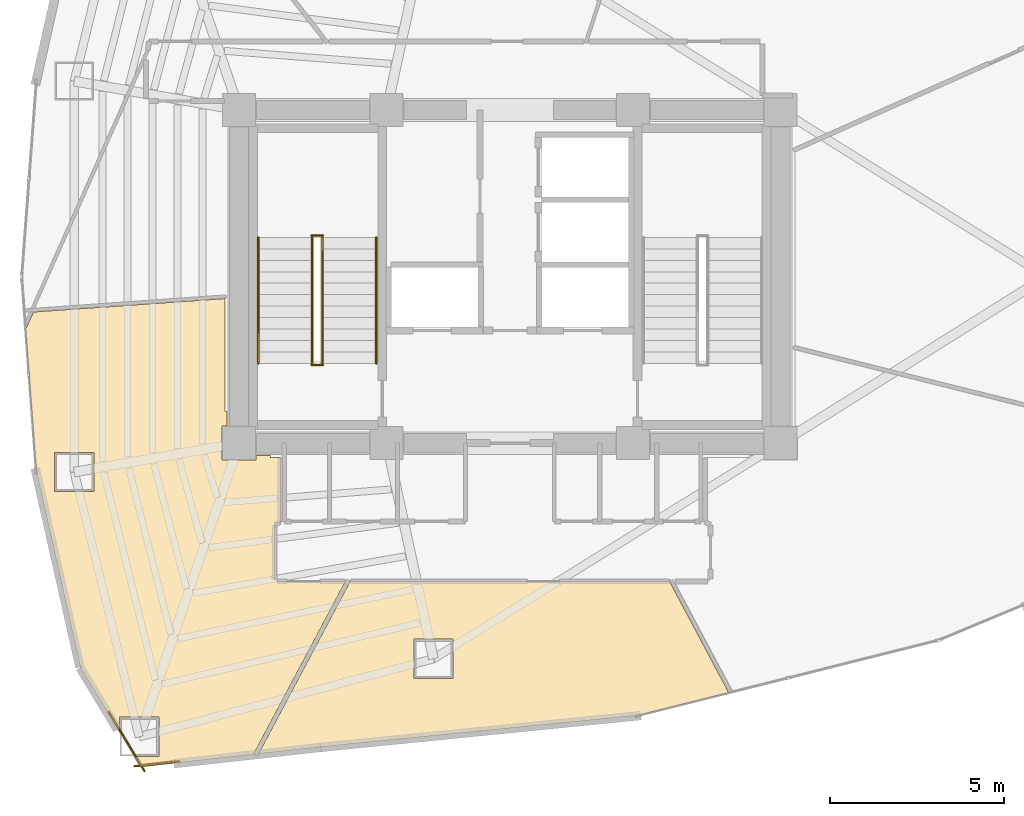
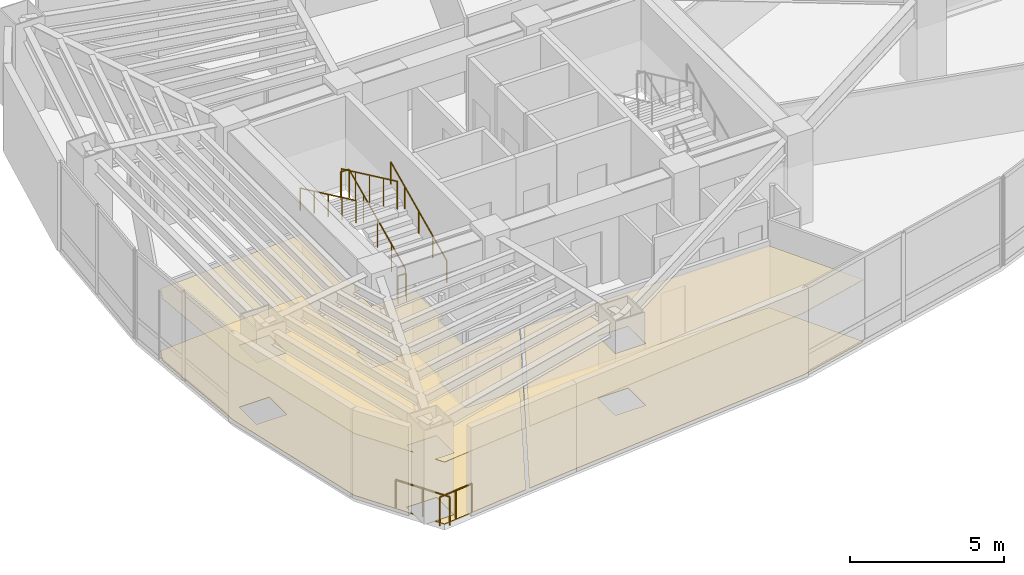
# One storey, part 16 of 18: 8 railings, 4 coverings.
"""IFC4 building model written with IfcOpenShell, lengths in metres."""

from ifc_helpers import new_model, si_unit, direction, frame, origin, origin_2d, place, context, subcontext, project, spatial, polyline, circle, outline, extrude, material, layer, layer_set, type_object, element, save


model = new_model("IFC4")

# Units and contexts
model_context = context("Model", 3, precision=1e-05, world=origin(), true_north=direction((0.0, 1.0)))
body_context = subcontext(model_context, "Body", "Model", "MODEL_VIEW")
ifc_project = project(units=[si_unit("LENGTHUNIT", "METRE"), si_unit("AREAUNIT", "SQUARE_METRE"), si_unit("VOLUMEUNIT", "CUBIC_METRE"), si_unit("PLANEANGLEUNIT", "RADIAN"), si_unit("MASSUNIT", "GRAM", prefix="KILO")], contexts=[model_context])

# Site, building, storey
site_placement = place(None, origin())
site = spatial("IfcSite", under=ifc_project, at=site_placement, CompositionType="ELEMENT")
building_placement = place(site_placement, origin())
building = spatial("IfcBuilding", under=site, at=building_placement, Name="Menara Vayukalpa", CompositionType="ELEMENT")
storey_placement = place(building_placement, frame((0.0, 0.0, 161.760009765625)))
storey = spatial("IfcBuildingStorey", under=building, at=storey_placement, Name="L40", CompositionType="ELEMENT", Elevation=161.760009765625)

# Coverings
ifc_material_1 = material(Name="Mineral Fibre Acoustic Ceiling Tile", Category="masonry")
ifc_layer_1 = layer(ifc_material_1, 0.02490234375)
ifc_layer_set_1 = layer_set([ifc_layer_1], Name="Mineral Fibre Acoustic Ceiling Tile")
covering_type_1 = type_object("IfcCoveringType", Name="COV-CLG1", PredefinedType="CEILING", material=ifc_layer_set_1)
covering_1_placement = place(storey_placement, frame((0.0, 0.0, 2.449951171875)))
element("IfcCovering", 1, at=covering_1_placement, inside=storey, type_object=covering_type_1, Name="L40 Executive Office Suite Acoustic Ceiling", PredefinedType="CEILING", context=body_context, shape_type="SweptSolid", body=[
    extrude(outline(polyline([(14.957763671875, 7.872314453125), (14.956787109375, 7.87255859375), (14.955810546875, 7.872802734375), (14.955078125, 7.873291015625), (14.9541015625, 7.873779296875), (14.95361328125, 7.874267578125), (14.95263671875, 7.874755859375), (14.9521484375, 7.87548828125), (14.951416015625, 7.876220703125), (14.950927734375, 7.876953125), (14.771728515625, 8.174560546875), (15.485595703125, 8.174560546875), (15.485595703125, 9.304443359375), (14.35546875, 9.304443359375), (14.35546875, 8.864990234375), (13.226318359375, 10.738525390625), (13.225830078125, 10.739501953125), (13.2255859375, 10.740478515625), (13.22509765625, 10.74169921875), (11.958984375, 16.368896484375), (11.958984375, 16.37060546875), (11.648681640625, 20.505615234375), (11.648681640625, 20.50634765625), (11.64892578125, 20.50732421875), (11.64892578125, 20.50830078125), (11.6494140625, 20.50927734375), (11.649658203125, 20.510009765625), (11.64990234375, 20.510986328125), (11.650390625, 20.51171875), (11.651123046875, 20.512451171875), (11.651611328125, 20.51318359375), (11.65234375, 20.513916015625), (11.653076171875, 20.514404296875), (11.65380859375, 20.514892578125), (11.656005859375, 20.51611328125), (11.660888671875, 20.51953125), (11.665283203125, 20.5234375), (11.66943359375, 20.527587890625), (11.673095703125, 20.5322265625), (11.67626953125, 20.537353515625), (11.67919921875, 20.542724609375), (11.871337890625, 20.974609375), (11.871826171875, 20.975341796875), (11.872314453125, 20.976318359375), (11.872802734375, 20.97705078125), (11.87353515625, 20.977783203125), (11.87451171875, 20.978515625), (11.875244140625, 20.97900390625), (11.8759765625, 20.9794921875), (11.876953125, 20.979736328125), (11.8779296875, 20.97998046875), (11.87890625, 20.98046875), (11.8798828125, 20.98046875), (17.37939453125, 21.364990234375), (17.38037109375, 21.364990234375), (17.381103515625, 21.364990234375), (17.382080078125, 21.36474609375), (17.383056640625, 21.364501953125), (17.384033203125, 21.3642578125), (17.385009765625, 21.36376953125), (17.3857421875, 21.36328125), (17.386474609375, 21.362548828125), (17.38720703125, 21.362060546875), (17.3876953125, 21.361328125), (17.388427734375, 21.360595703125), (17.388916015625, 21.359619140625), (17.389404296875, 21.35888671875), (17.3896484375, 21.35791015625), (17.389892578125, 21.35693359375), (17.389892578125, 21.35595703125), (17.389892578125, 21.35498046875), (17.389892578125, 18.110107421875), (17.449951171875, 18.110107421875), (17.449951171875, 17.68994140625), (17.31005859375, 17.68994140625), (17.31005859375, 16.7099609375), (18.2900390625, 16.7099609375), (18.2900390625, 16.85009765625), (18.7099609375, 16.85009765625), (18.7099609375, 16.7900390625), (18.97998046875, 16.7900390625), (18.98095703125, 16.7900390625), (18.98193359375, 16.789794921875), (18.98291015625, 16.78955078125), (18.98388671875, 16.789306640625), (18.984619140625, 16.788818359375), (18.985595703125, 16.788330078125), (18.986328125, 16.78759765625), (18.987060546875, 16.787109375), (18.98779296875, 16.786376953125), (18.98828125, 16.78564453125), (18.98876953125, 16.78466796875), (18.9892578125, 16.78369140625), (18.989501953125, 16.782958984375), (18.98974609375, 16.781982421875), (18.989990234375, 16.781005859375), (18.989990234375, 16.780029296875), (18.989990234375, 14.929931640625), (18.989990234375, 14.928955078125), (18.98974609375, 14.927978515625), (18.989501953125, 14.927001953125), (18.9892578125, 14.92626953125), (18.98876953125, 14.92529296875), (18.98828125, 14.92431640625), (18.98779296875, 14.923583984375), (18.987060546875, 14.9228515625), (18.986328125, 14.92236328125), (18.985595703125, 14.921630859375), (18.984619140625, 14.921142578125), (18.98388671875, 14.9208984375), (18.98291015625, 14.92041015625), (18.98193359375, 14.920166015625), (18.98095703125, 14.919921875), (18.97998046875, 14.919921875), (18.900390625, 14.919921875), (18.893310546875, 14.919677734375), (18.88623046875, 14.918701171875), (18.879638671875, 14.9169921875), (18.873291015625, 14.914794921875), (18.866943359375, 14.911865234375), (18.861083984375, 14.908203125), (18.85546875, 14.904052734375), (18.8505859375, 14.8994140625), (18.845947265625, 14.89453125), (18.841796875, 14.888916015625), (18.838134765625, 14.883056640625), (18.835205078125, 14.876708984375), (18.8330078125, 14.870361328125), (18.831298828125, 14.86376953125), (18.830322265625, 14.856689453125), (18.830078125, 14.849609375), (18.830078125, 13.290283203125), (18.830322265625, 13.283203125), (18.831298828125, 13.2763671875), (18.8330078125, 13.269775390625), (18.835205078125, 13.26318359375), (18.838134765625, 13.257080078125), (18.841796875, 13.251220703125), (18.845947265625, 13.24560546875), (18.8505859375, 13.240478515625), (18.85546875, 13.236083984375), (18.861083984375, 13.231689453125), (18.866943359375, 13.228271484375), (18.873291015625, 13.225341796875), (18.879638671875, 13.222900390625), (18.88623046875, 13.22119140625), (18.893310546875, 13.220458984375), (18.900390625, 13.219970703125), (20.846923828125, 13.219970703125), (20.847900390625, 13.219970703125), (20.848876953125, 13.2197265625), (20.849853515625, 13.219482421875), (20.850830078125, 13.21923828125), (20.851806640625, 13.21875), (20.8525390625, 13.21826171875), (20.853271484375, 13.2177734375), (20.85400390625, 13.217041015625), (20.854736328125, 13.21630859375), (20.855224609375, 13.215576171875), (20.855712890625, 13.214599609375), (20.856201171875, 13.2138671875), (20.856689453125, 13.212890625), (20.856689453125, 13.2119140625), (20.85693359375, 13.2109375), (20.85693359375, 13.2099609375), (20.85693359375, 13.208984375), (20.856689453125, 13.2080078125), (20.856689453125, 13.20703125), (20.856201171875, 13.206298828125), (20.855712890625, 13.205322265625), (18.219482421875, 8.2470703125), (18.216796875, 8.2412109375), (18.215576171875, 8.238037109375), (18.215087890625, 8.237060546875), (18.21484375, 8.236083984375), (18.214111328125, 8.2353515625), (18.21337890625, 8.234619140625), (18.212890625, 8.23388671875), (18.2119140625, 8.2333984375), (18.211181640625, 8.232666015625), (18.210205078125, 8.232421875), (18.209228515625, 8.23193359375), (18.208251953125, 8.231689453125), (18.207275390625, 8.2314453125), (14.960693359375, 7.872314453125), (14.959716796875, 7.872314453125), (14.958740234375, 7.872314453125), (14.957763671875, 7.872314453125)]), holes=[polyline([(13.614013671875, 16.93310546875), (12.484130859375, 16.93310546875), (12.484130859375, 15.80322265625), (13.614013671875, 15.80322265625), (13.614013671875, 16.93310546875)])]), origin(), (0.0, 0.0, 1.0), 0.025146484375),
])
covering_2_placement = place(storey_placement, frame((0.0, 0.0, 2.449951171875)))
element("IfcCovering", 2, at=covering_2_placement, inside=storey, type_object=covering_type_1, Name="L40 Open Plan Office Workplace Acoustic Ceiling", PredefinedType="CEILING", context=body_context, shape_type="SweptSolid", body=[
    extrude(outline(polyline([(18.37353515625, 8.25), (18.37255859375, 8.25), (18.37158203125, 8.25), (18.37060546875, 8.250244140625), (18.369873046875, 8.25048828125), (18.368896484375, 8.2509765625), (18.367919921875, 8.25146484375), (18.3671875, 8.252197265625), (18.366455078125, 8.252685546875), (18.36572265625, 8.25341796875), (18.365234375, 8.25439453125), (18.36474609375, 8.255126953125), (18.3642578125, 8.256103515625), (18.364013671875, 8.2568359375), (18.36376953125, 8.2578125), (18.363525390625, 8.2587890625), (18.363525390625, 8.260009765625), (18.363525390625, 8.2607421875), (18.36376953125, 8.26171875), (18.364013671875, 8.2626953125), (18.3642578125, 8.263671875), (18.36474609375, 8.2646484375), (20.996826171875, 13.214599609375), (20.997314453125, 13.215576171875), (20.997802734375, 13.21630859375), (20.99853515625, 13.217041015625), (20.999267578125, 13.2177734375), (21.0, 13.21826171875), (21.0009765625, 13.21875), (21.001708984375, 13.21923828125), (21.002685546875, 13.219482421875), (21.003662109375, 13.2197265625), (21.004638671875, 13.219970703125), (21.005615234375, 13.219970703125), (30.1943359375, 13.219970703125), (30.1953125, 13.219970703125), (30.1962890625, 13.2197265625), (30.197265625, 13.219482421875), (30.1982421875, 13.21923828125), (30.19921875, 13.21875), (30.199951171875, 13.21826171875), (30.20068359375, 13.2177734375), (30.201416015625, 13.217041015625), (30.2021484375, 13.21630859375), (30.20263671875, 13.215576171875), (30.203125, 13.214599609375), (31.898681640625, 10.02587890625), (31.899169921875, 10.02490234375), (31.8994140625, 10.02392578125), (31.899658203125, 10.023193359375), (31.89990234375, 10.022216796875), (31.89990234375, 10.02099609375), (31.89990234375, 10.02001953125), (31.899658203125, 10.01904296875), (31.8994140625, 10.01806640625), (31.89892578125, 10.01708984375), (31.898681640625, 10.01611328125), (31.89794921875, 10.015380859375), (31.8974609375, 10.0146484375), (31.896728515625, 10.013916015625), (31.89599609375, 10.01318359375), (31.89501953125, 10.0126953125), (31.894287109375, 10.01220703125), (31.893310546875, 10.01171875), (31.892333984375, 10.011474609375), (29.2646484375, 9.35302734375), (29.26318359375, 9.352783203125), (20.146484375, 8.44580078125), (20.14599609375, 8.44580078125), (18.37451171875, 8.25), (18.37353515625, 8.25)]), holes=[polyline([(23.9619140625, 11.552978515625), (22.831787109375, 11.552978515625), (22.831787109375, 10.423095703125), (23.9619140625, 10.423095703125), (23.9619140625, 11.552978515625)])]), origin(), (0.0, 0.0, 1.0), 0.025146484375),
])
ifc_material_2 = material(Name="Porcelain Stoneware Floor Tile", Category="masonry")
ifc_layer_2 = layer(ifc_material_2, 0.02001953125)
ifc_layer_set_2 = layer_set([ifc_layer_2], Name="Porcelain Stoneware Floor Tile")
covering_type_2 = type_object("IfcCoveringType", Name="COV-FLR1", PredefinedType="FLOORING", material=ifc_layer_set_2)
covering_3_placement = place(storey_placement, origin())
element("IfcCovering", 3, at=covering_3_placement, inside=storey, type_object=covering_type_2, Name="L40 Executive Office Suite Porcelain Flooring", PredefinedType="FLOORING", context=body_context, shape_type="SweptSolid", body=[
    extrude(outline(polyline([(14.957763671875, 7.872314453125), (14.956787109375, 7.87255859375), (14.955810546875, 7.872802734375), (14.955078125, 7.873291015625), (14.9541015625, 7.873779296875), (14.95361328125, 7.874267578125), (14.95263671875, 7.874755859375), (14.9521484375, 7.87548828125), (14.951416015625, 7.876220703125), (14.950927734375, 7.876953125), (14.771728515625, 8.174560546875), (15.485595703125, 8.174560546875), (15.485595703125, 9.304443359375), (14.35546875, 9.304443359375), (14.35546875, 8.864990234375), (13.226318359375, 10.738525390625), (13.225830078125, 10.739501953125), (13.2255859375, 10.740478515625), (13.22509765625, 10.74169921875), (11.958984375, 16.368896484375), (11.958984375, 16.37060546875), (11.648681640625, 20.505615234375), (11.648681640625, 20.50634765625), (11.64892578125, 20.50732421875), (11.64892578125, 20.50830078125), (11.6494140625, 20.50927734375), (11.649658203125, 20.510009765625), (11.64990234375, 20.510986328125), (11.650390625, 20.51171875), (11.651123046875, 20.512451171875), (11.651611328125, 20.51318359375), (11.65234375, 20.513916015625), (11.653076171875, 20.514404296875), (11.65380859375, 20.514892578125), (11.656005859375, 20.51611328125), (11.660888671875, 20.51953125), (11.665283203125, 20.5234375), (11.66943359375, 20.527587890625), (11.673095703125, 20.5322265625), (11.67626953125, 20.537353515625), (11.67919921875, 20.542724609375), (11.871337890625, 20.974609375), (11.871826171875, 20.975341796875), (11.872314453125, 20.976318359375), (11.872802734375, 20.97705078125), (11.87353515625, 20.977783203125), (11.87451171875, 20.978515625), (11.875244140625, 20.97900390625), (11.8759765625, 20.9794921875), (11.876953125, 20.979736328125), (11.8779296875, 20.97998046875), (11.87890625, 20.98046875), (11.8798828125, 20.98046875), (17.37939453125, 21.364990234375), (17.38037109375, 21.364990234375), (17.381103515625, 21.364990234375), (17.382080078125, 21.36474609375), (17.383056640625, 21.364501953125), (17.384033203125, 21.3642578125), (17.385009765625, 21.36376953125), (17.3857421875, 21.36328125), (17.386474609375, 21.362548828125), (17.38720703125, 21.362060546875), (17.3876953125, 21.361328125), (17.388427734375, 21.360595703125), (17.388916015625, 21.359619140625), (17.389404296875, 21.35888671875), (17.3896484375, 21.35791015625), (17.389892578125, 21.35693359375), (17.389892578125, 21.35595703125), (17.389892578125, 21.35498046875), (17.389892578125, 18.110107421875), (17.449951171875, 18.110107421875), (17.449951171875, 17.68994140625), (17.31005859375, 17.68994140625), (17.31005859375, 16.7099609375), (18.2900390625, 16.7099609375), (18.2900390625, 16.85009765625), (18.7099609375, 16.85009765625), (18.7099609375, 16.7900390625), (18.97998046875, 16.7900390625), (18.98095703125, 16.7900390625), (18.98193359375, 16.789794921875), (18.98291015625, 16.78955078125), (18.98388671875, 16.789306640625), (18.984619140625, 16.788818359375), (18.985595703125, 16.788330078125), (18.986328125, 16.78759765625), (18.987060546875, 16.787109375), (18.98779296875, 16.786376953125), (18.98828125, 16.78564453125), (18.98876953125, 16.78466796875), (18.9892578125, 16.78369140625), (18.989501953125, 16.782958984375), (18.98974609375, 16.781982421875), (18.989990234375, 16.781005859375), (18.989990234375, 16.780029296875), (18.989990234375, 14.929931640625), (18.989990234375, 14.928955078125), (18.98974609375, 14.927978515625), (18.989501953125, 14.927001953125), (18.9892578125, 14.92626953125), (18.98876953125, 14.92529296875), (18.98828125, 14.92431640625), (18.98779296875, 14.923583984375), (18.987060546875, 14.9228515625), (18.986328125, 14.92236328125), (18.985595703125, 14.921630859375), (18.984619140625, 14.921142578125), (18.98388671875, 14.9208984375), (18.98291015625, 14.92041015625), (18.98193359375, 14.920166015625), (18.98095703125, 14.919921875), (18.97998046875, 14.919921875), (18.900390625, 14.919921875), (18.893310546875, 14.919677734375), (18.88623046875, 14.918701171875), (18.879638671875, 14.9169921875), (18.873291015625, 14.914794921875), (18.866943359375, 14.911865234375), (18.861083984375, 14.908203125), (18.85546875, 14.904052734375), (18.8505859375, 14.8994140625), (18.845947265625, 14.89453125), (18.841796875, 14.888916015625), (18.838134765625, 14.883056640625), (18.835205078125, 14.876708984375), (18.8330078125, 14.870361328125), (18.831298828125, 14.86376953125), (18.830322265625, 14.856689453125), (18.830078125, 14.849609375), (18.830078125, 13.290283203125), (18.830322265625, 13.283203125), (18.831298828125, 13.2763671875), (18.8330078125, 13.269775390625), (18.835205078125, 13.26318359375), (18.838134765625, 13.257080078125), (18.841796875, 13.251220703125), (18.845947265625, 13.24560546875), (18.8505859375, 13.240478515625), (18.85546875, 13.236083984375), (18.861083984375, 13.231689453125), (18.866943359375, 13.228271484375), (18.873291015625, 13.225341796875), (18.879638671875, 13.222900390625), (18.88623046875, 13.22119140625), (18.893310546875, 13.220458984375), (18.900390625, 13.219970703125), (20.846923828125, 13.219970703125), (20.847900390625, 13.219970703125), (20.848876953125, 13.2197265625), (20.849853515625, 13.219482421875), (20.850830078125, 13.21923828125), (20.851806640625, 13.21875), (20.8525390625, 13.21826171875), (20.853271484375, 13.2177734375), (20.85400390625, 13.217041015625), (20.854736328125, 13.21630859375), (20.855224609375, 13.215576171875), (20.855712890625, 13.214599609375), (20.856201171875, 13.2138671875), (20.856689453125, 13.212890625), (20.856689453125, 13.2119140625), (20.85693359375, 13.2109375), (20.85693359375, 13.2099609375), (20.85693359375, 13.208984375), (20.856689453125, 13.2080078125), (20.856689453125, 13.20703125), (20.856201171875, 13.206298828125), (20.855712890625, 13.205322265625), (18.219482421875, 8.2470703125), (18.216796875, 8.2412109375), (18.215576171875, 8.238037109375), (18.215087890625, 8.237060546875), (18.21484375, 8.236083984375), (18.214111328125, 8.2353515625), (18.21337890625, 8.234619140625), (18.212890625, 8.23388671875), (18.2119140625, 8.2333984375), (18.211181640625, 8.232666015625), (18.210205078125, 8.232421875), (18.209228515625, 8.23193359375), (18.208251953125, 8.231689453125), (18.207275390625, 8.2314453125), (14.960693359375, 7.872314453125), (14.959716796875, 7.872314453125), (14.958740234375, 7.872314453125), (14.957763671875, 7.872314453125)]), holes=[polyline([(13.614013671875, 16.93310546875), (12.484130859375, 16.93310546875), (12.484130859375, 15.80322265625), (13.614013671875, 15.80322265625), (13.614013671875, 16.93310546875)])]), origin(), (0.0, 0.0, 1.0), 0.02001953125),
])
covering_4_placement = place(storey_placement, origin())
element("IfcCovering", 4, at=covering_4_placement, inside=storey, type_object=covering_type_2, Name="L40 Open Plan Office Workplace Porcelain Flooring", PredefinedType="FLOORING", context=body_context, shape_type="SweptSolid", body=[
    extrude(outline(polyline([(18.37353515625, 8.25), (18.37255859375, 8.25), (18.37158203125, 8.25), (18.37060546875, 8.250244140625), (18.369873046875, 8.25048828125), (18.368896484375, 8.2509765625), (18.367919921875, 8.25146484375), (18.3671875, 8.252197265625), (18.366455078125, 8.252685546875), (18.36572265625, 8.25341796875), (18.365234375, 8.25439453125), (18.36474609375, 8.255126953125), (18.3642578125, 8.256103515625), (18.364013671875, 8.2568359375), (18.36376953125, 8.2578125), (18.363525390625, 8.2587890625), (18.363525390625, 8.260009765625), (18.363525390625, 8.2607421875), (18.36376953125, 8.26171875), (18.364013671875, 8.2626953125), (18.3642578125, 8.263671875), (18.36474609375, 8.2646484375), (20.996826171875, 13.214599609375), (20.997314453125, 13.215576171875), (20.997802734375, 13.21630859375), (20.99853515625, 13.217041015625), (20.999267578125, 13.2177734375), (21.0, 13.21826171875), (21.0009765625, 13.21875), (21.001708984375, 13.21923828125), (21.002685546875, 13.219482421875), (21.003662109375, 13.2197265625), (21.004638671875, 13.219970703125), (21.005615234375, 13.219970703125), (30.1943359375, 13.219970703125), (30.1953125, 13.219970703125), (30.1962890625, 13.2197265625), (30.197265625, 13.219482421875), (30.1982421875, 13.21923828125), (30.19921875, 13.21875), (30.199951171875, 13.21826171875), (30.20068359375, 13.2177734375), (30.201416015625, 13.217041015625), (30.2021484375, 13.21630859375), (30.20263671875, 13.215576171875), (30.203125, 13.214599609375), (31.898681640625, 10.02587890625), (31.899169921875, 10.02490234375), (31.8994140625, 10.02392578125), (31.899658203125, 10.023193359375), (31.89990234375, 10.022216796875), (31.89990234375, 10.02099609375), (31.89990234375, 10.02001953125), (31.899658203125, 10.01904296875), (31.8994140625, 10.01806640625), (31.89892578125, 10.01708984375), (31.898681640625, 10.01611328125), (31.89794921875, 10.015380859375), (31.8974609375, 10.0146484375), (31.896728515625, 10.013916015625), (31.89599609375, 10.01318359375), (31.89501953125, 10.0126953125), (31.894287109375, 10.01220703125), (31.893310546875, 10.01171875), (31.892333984375, 10.011474609375), (29.2646484375, 9.35302734375), (29.26318359375, 9.352783203125), (20.146484375, 8.44580078125), (20.14599609375, 8.44580078125), (18.37451171875, 8.25), (18.37353515625, 8.25)]), holes=[polyline([(23.9619140625, 11.552978515625), (22.831787109375, 11.552978515625), (22.831787109375, 10.423095703125), (23.9619140625, 10.423095703125), (23.9619140625, 11.552978515625)])]), origin(), (0.0, 0.0, 1.0), 0.02001953125),
])

# Railings
ifc_material_3 = material(Name="Laminated Glass and Stainless Steel 316 Guardrail", Category="steel")
railing_type_1 = type_object("IfcRailingType", Name="RLG-EXT115", PredefinedType="GUARDRAIL", material=ifc_material_3)
railing_1_placement = place(storey_placement, frame((14.04345703125, 9.460205078125, 0.0)))
element("IfcRailing", 5, at=railing_1_placement, inside=storey, type_object=railing_type_1, Name="L40 Column Corner Spandrel Guardrail 13-1", PredefinedType="GUARDRAIL", context=body_context, shape_type="SweptSolid", body=[
    extrude(circle(Radius=0.02392578125, at=origin_2d()), frame((0.0, 0.0, 1.1259765625), z_axis=(0.516238473258, -0.856444883649, 0.0), x_axis=(0.856444883649, 0.516238473258, 0.0)), (0.0, 0.0, 1.0), 1.9970703125),
    extrude(circle(Radius=0.02099609375, at=origin_2d()), origin(), (0.0, 0.0, 1.0), 1.101806640625),
    extrude(circle(Radius=0.02099609375, at=origin_2d()), frame((0.515625, -0.855224609375, 0.0)), (0.0, 0.0, 1.0), 1.101806640625),
    extrude(circle(Radius=0.02099609375, at=origin_2d()), frame((1.031005859375, -1.71044921875, 0.0)), (0.0, 0.0, 1.0), 1.101806640625),
])
railing_2_placement = place(storey_placement, frame((14.784423828125, 7.89306640625, 0.0)))
element("IfcRailing", 6, at=railing_2_placement, inside=storey, type_object=railing_type_1, Name="L40 Column Corner Spandrel Guardrail 14-1", PredefinedType="GUARDRAIL", context=body_context, shape_type="SweptSolid", body=[
    extrude(circle(Radius=0.02392578125, at=origin_2d()), frame((0.0, 0.0, 1.1259765625), z_axis=(0.99393179446, 0.109998127083, 0.0), x_axis=(-0.109998127083, 0.99393179446, 0.0)), (0.0, 0.0, 1.0), 1.29833984375),
    extrude(circle(Radius=0.02099609375, at=origin_2d()), origin(), (0.0, 0.0, 1.0), 1.101806640625),
    extrude(circle(Radius=0.02099609375, at=origin_2d()), frame((0.645263671875, 0.0712890625, 0.0)), (0.0, 0.0, 1.0), 1.101806640625),
    extrude(circle(Radius=0.02099609375, at=origin_2d()), frame((1.29052734375, 0.142822265625, 0.0)), (0.0, 0.0, 1.0), 1.101806640625),
])
ifc_material_4 = material(Name="Powder-Coated Galvanised Steel Guardrail", Category="steel")
railing_type_2 = type_object("IfcRailingType", Name="RLG-STG110", PredefinedType="GUARDRAIL", material=ifc_material_4)
railing_3_placement = place(storey_placement, frame((20.199951171875, 19.5, 0.155029296875)))
element("IfcRailing", 7, at=railing_3_placement, inside=storey, type_object=railing_type_2, Name="L40 ST-1 stair guard 1", PredefinedType="GUARDRAIL", context=body_context, shape_type="SweptSolid", body=[
    extrude(circle(Radius=0.02392578125, at=origin_2d()), frame((0.0, 0.0, 1.09619140625), z_axis=(0.0, 0.90511648382, 0.425163675209), x_axis=(-1.0, 0.0, 0.0)), (0.0, 0.0, 1.0), 4.010498046875),
    extrude(circle(Radius=0.02099609375, at=origin_2d()), origin(), (0.0, 0.0, 1.0), 1.072021484375),
    extrude(circle(Radius=0.02099609375, at=origin_2d()), frame((0.0, 0.907470703125, 0.42626953125)), (0.0, 0.0, 1.0), 1.072021484375),
    extrude(circle(Radius=0.02099609375, at=origin_2d()), frame((0.0, 1.81494140625, 0.8525390625)), (0.0, 0.0, 1.0), 1.072021484375),
    extrude(circle(Radius=0.02099609375, at=origin_2d()), frame((0.0, 2.722412109375, 1.27880859375)), (0.0, 0.0, 1.0), 1.072021484375),
    extrude(circle(Radius=0.02099609375, at=origin_2d()), frame((0.0, 3.6298828125, 1.705078125)), (0.0, 0.0, 1.0), 1.072021484375),
])
railing_4_placement = place(storey_placement, frame((20.2099609375, 23.179931640625, 1.860107421875)))
element("IfcRailing", 8, at=railing_4_placement, inside=storey, type_object=railing_type_2, Name="L40 ST-1 stair guard 2", PredefinedType="GUARDRAIL", context=body_context, shape_type="SweptSolid", body=[
    extrude(circle(Radius=0.02392578125, at=origin_2d()), frame((0.0, 0.0, 1.09619140625), z_axis=(-1.0, 0.0, 0.0), x_axis=(0.0, -1.0, 0.0)), (0.0, 0.0, 1.0), 0.320068359375),
    extrude(circle(Radius=0.02099609375, at=origin_2d()), origin(), (0.0, 0.0, 1.0), 1.072021484375),
    extrude(circle(Radius=0.02099609375, at=origin_2d()), frame((-0.320068359375, 0.0, 0.0)), (0.0, 0.0, 1.0), 1.072021484375),
])
railing_5_placement = place(storey_placement, frame((19.89990234375, 23.1298828125, 2.014892578125)))
element("IfcRailing", 9, at=railing_5_placement, inside=storey, type_object=railing_type_2, Name="L40 ST-1 stair guard 3", PredefinedType="GUARDRAIL", context=body_context, shape_type="SweptSolid", body=[
    extrude(circle(Radius=0.02392578125, at=origin_2d()), frame((0.0, 0.0, 1.09619140625), z_axis=(0.0, -0.90511648382, 0.425163675209), x_axis=(1.0, 0.0, 0.0)), (0.0, 0.0, 1.0), 4.010498046875),
    extrude(circle(Radius=0.02099609375, at=origin_2d()), origin(), (0.0, 0.0, 1.0), 1.072021484375),
    extrude(circle(Radius=0.02099609375, at=origin_2d()), frame((0.0, -0.907470703125, 0.42626953125)), (0.0, 0.0, 1.0), 1.072021484375),
    extrude(circle(Radius=0.02099609375, at=origin_2d()), frame((0.0, -1.81494140625, 0.8525390625)), (0.0, 0.0, 1.0), 1.072021484375),
    extrude(circle(Radius=0.02099609375, at=origin_2d()), frame((0.0, -2.722412109375, 1.27880859375)), (0.0, 0.0, 1.0), 1.072021484375),
    extrude(circle(Radius=0.02099609375, at=origin_2d()), frame((0.0, -3.6298828125, 1.705078125)), (0.0, 0.0, 1.0), 1.072021484375),
])
railing_6_placement = place(storey_placement, frame((20.2099609375, 19.449951171875, 0.0)))
element("IfcRailing", 10, at=railing_6_placement, inside=storey, type_object=railing_type_2, Name="L40 ST-1 stair guard 4", PredefinedType="GUARDRAIL", context=body_context, shape_type="SweptSolid", body=[
    extrude(circle(Radius=0.02392578125, at=origin_2d()), frame((0.0, 0.0, 1.09619140625), z_axis=(-1.0, 0.0, 0.0), x_axis=(0.0, -1.0, 0.0)), (0.0, 0.0, 1.0), 0.320068359375),
    extrude(circle(Radius=0.02099609375, at=origin_2d()), origin(), (0.0, 0.0, 1.0), 1.072021484375),
    extrude(circle(Radius=0.02099609375, at=origin_2d()), frame((-0.320068359375, 0.0, 0.0)), (0.0, 0.0, 1.0), 1.072021484375),
])
ifc_material_5 = material(Name="Stainless Steel 316 Tubular Handrail", Category="steel")
railing_type_3 = type_object("IfcRailingType", Name="RLG-STH090", PredefinedType="HANDRAIL", material=ifc_material_5)
railing_7_placement = place(storey_placement, frame((21.75, 19.5, 0.155029296875)))
element("IfcRailing", 11, at=railing_7_placement, inside=storey, type_object=railing_type_3, Name="L40 ST-1 stair handrail 1", PredefinedType="HANDRAIL", context=body_context, shape_type="SweptSolid", body=[
    extrude(circle(Radius=0.02392578125, at=origin_2d()), frame((0.0, 0.0, 0.8759765625), z_axis=(0.0, 0.90511648382, 0.425163675209), x_axis=(-1.0, 0.0, 0.0)), (0.0, 0.0, 1.0), 4.010498046875),
    extrude(circle(Radius=0.02099609375, at=origin_2d()), origin(), (0.0, 0.0, 1.0), 0.851806640625),
    extrude(circle(Radius=0.02099609375, at=origin_2d()), frame((0.0, 0.907470703125, 0.42626953125)), (0.0, 0.0, 1.0), 0.851806640625),
    extrude(circle(Radius=0.02099609375, at=origin_2d()), frame((0.0, 1.81494140625, 0.8525390625)), (0.0, 0.0, 1.0), 0.851806640625),
    extrude(circle(Radius=0.02099609375, at=origin_2d()), frame((0.0, 2.722412109375, 1.27880859375)), (0.0, 0.0, 1.0), 0.851806640625),
    extrude(circle(Radius=0.02099609375, at=origin_2d()), frame((0.0, 3.6298828125, 1.705078125)), (0.0, 0.0, 1.0), 0.851806640625),
])
railing_8_placement = place(storey_placement, frame((18.35009765625, 23.1298828125, 2.014892578125)))
element("IfcRailing", 12, at=railing_8_placement, inside=storey, type_object=railing_type_3, Name="L40 ST-1 stair handrail 2", PredefinedType="HANDRAIL", context=body_context, shape_type="SweptSolid", body=[
    extrude(circle(Radius=0.02392578125, at=origin_2d()), frame((0.0, 0.0, 0.8759765625), z_axis=(0.0, -0.90511648382, 0.425163675209), x_axis=(1.0, 0.0, 0.0)), (0.0, 0.0, 1.0), 4.010498046875),
    extrude(circle(Radius=0.02099609375, at=origin_2d()), origin(), (0.0, 0.0, 1.0), 0.851806640625),
    extrude(circle(Radius=0.02099609375, at=origin_2d()), frame((0.0, -0.907470703125, 0.42626953125)), (0.0, 0.0, 1.0), 0.851806640625),
    extrude(circle(Radius=0.02099609375, at=origin_2d()), frame((0.0, -1.81494140625, 0.8525390625)), (0.0, 0.0, 1.0), 0.851806640625),
    extrude(circle(Radius=0.02099609375, at=origin_2d()), frame((0.0, -2.722412109375, 1.27880859375)), (0.0, 0.0, 1.0), 0.851806640625),
    extrude(circle(Radius=0.02099609375, at=origin_2d()), frame((0.0, -3.6298828125, 1.705078125)), (0.0, 0.0, 1.0), 0.851806640625),
])

save(model, "model.ifc")
